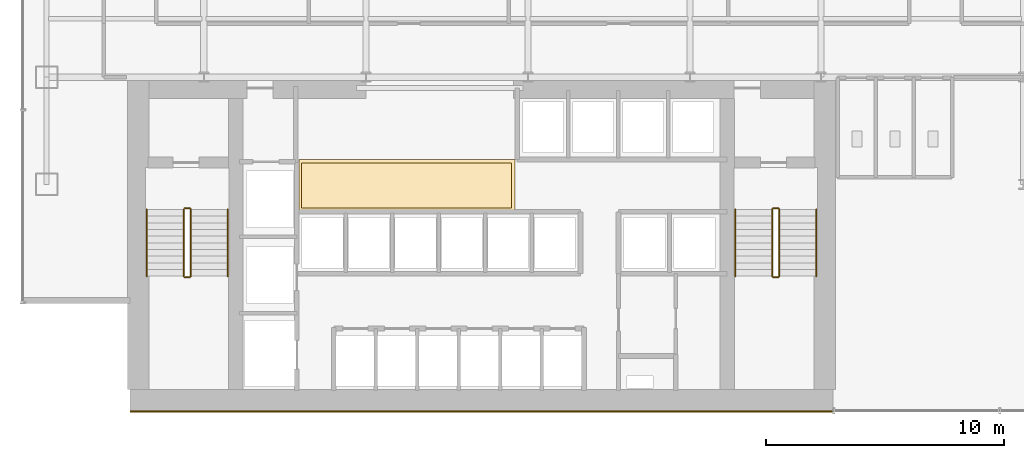
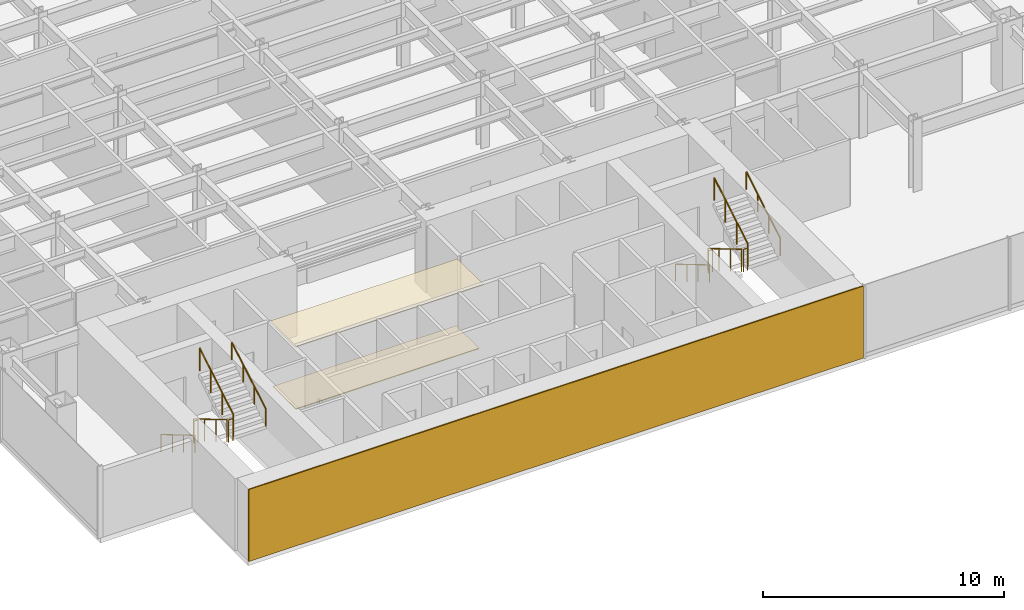
# One storey, part 20 of 22: 12 railings, 3 coverings.
"""IFC4 building model written with IfcOpenShell, lengths in metres."""

from ifc_helpers import new_model, si_unit, derived_unit, direction, frame, origin, origin_2d, place, context, subcontext, project, spatial, polyline, rectangle, circle, outline, extrude, source, transform, mapped, material, layer, layer_set, type_object, element, save


model = new_model("IFC4")

# Units and contexts
model_context = context("Model", 3, precision=1e-05, world=origin(), true_north=direction((0.0, 1.0)))
body_context = subcontext(model_context, "Body", "Model", "MODEL_VIEW")
ifc_project = project(units=[si_unit("LENGTHUNIT", "METRE"), si_unit("AREAUNIT", "SQUARE_METRE"), si_unit("VOLUMEUNIT", "CUBIC_METRE"), si_unit("PLANEANGLEUNIT", "RADIAN"), si_unit("MASSUNIT", "GRAM", prefix="KILO"), derived_unit("THERMALTRANSMITTANCEUNIT", [(si_unit("POWERUNIT", "WATT"), 1), (si_unit("LENGTHUNIT", "METRE"), -2), (si_unit("THERMODYNAMICTEMPERATUREUNIT", "KELVIN"), -1)])], contexts=[model_context])

# Site, building, storey
site_placement = place(None, origin())
site = spatial("IfcSite", under=ifc_project, at=site_placement, CompositionType="ELEMENT")
building_placement = place(site_placement, origin())
building = spatial("IfcBuilding", under=site, at=building_placement, Name="Skarnbrae Concourse Arena and Tower", CompositionType="ELEMENT")
storey_placement = place(building_placement, frame((0.0, 0.0, 65.35009765625)))
storey = spatial("IfcBuildingStorey", under=building, at=storey_placement, Name="L15", CompositionType="ELEMENT", Elevation=65.35009765625)

# Coverings
ifc_material_1 = material(Name="Mineral fibre acoustic ceiling tile", Category="other")
ifc_layer_1 = layer(ifc_material_1, 0.0400390625)
ifc_layer_set_1 = layer_set([ifc_layer_1], Name="Mineral fibre acoustic ceiling tile")
covering_type_1 = type_object("IfcCoveringType", Name="COV-CEIL-ACOUSTIC", PredefinedType="CEILING", material=ifc_layer_set_1)
covering_1_placement = place(storey_placement, frame((0.0, 0.0, 3.239990234375)))
element("IfcCovering", 1, at=covering_1_placement, inside=storey, type_object=covering_type_1, Name="L15 Lift lobby acoustic ceiling", PredefinedType="CEILING", context=body_context, shape_type="SweptSolid", body=[
    extrude(outline(polyline([(11.60009765625, 8.39990234375), (20.64990234375, 8.39990234375), (20.64990234375, 10.550048828125), (11.60009765625, 10.550048828125), (11.60009765625, 8.39990234375)])), origin(), (0.0, 0.0, 1.0), 0.039794921875),
])
ifc_material_2 = material(Name="Polished granite terrazzo flooring", Category="masonry")
ifc_layer_2 = layer(ifc_material_2, 0.0400390625)
ifc_layer_set_2 = layer_set([ifc_layer_2], Name="Polished granite terrazzo flooring")
covering_type_2 = type_object("IfcCoveringType", Name="COV-FLOOR-TERRAZZO", PredefinedType="FLOORING", material=ifc_layer_set_2)
covering_2_placement = place(storey_placement, origin())
element("IfcCovering", 2, at=covering_2_placement, inside=storey, type_object=covering_type_2, Name="L15 Lift lobby terrazzo flooring", PredefinedType="FLOORING", context=body_context, shape_type="SweptSolid", body=[
    extrude(outline(polyline([(11.699951171875, 8.5), (20.5, 8.5), (20.5, 10.39990234375), (11.699951171875, 10.39990234375), (11.699951171875, 8.5)])), origin(), (0.0, 0.0, 1.0), 0.039794921875),
])

# Railings
ifc_material_3 = material(Name="Steel CSA G40.21 350W", Category="steel")
railing_type_1 = type_object("IfcRailingType", Name="RAIL-HANDRAIL-900", PredefinedType="HANDRAIL", material=ifc_material_3)
railing_1_placement = place(storey_placement, frame((5.199951171875, 8.449951171875, 0.165771484375)))
element("IfcRailing", 3, at=railing_1_placement, inside=storey, type_object=railing_type_1, Name="L15 ST-1 stair handrail 1", PredefinedType="HANDRAIL", context=body_context, shape_type="SweptSolid", body=[
    extrude(circle(Radius=0.02392578125, at=origin_2d()), frame((0.0, 0.0, 0.8759765625), z_axis=(0.0, -0.860306154799, 0.50977771628), x_axis=(1.0, 0.0, 0.0)), (0.0, 0.0, 1.0), 3.254638671875),
    extrude(circle(Radius=0.02099609375, at=origin_2d()), origin(), (0.0, 0.0, 1.0), 0.851806640625),
    extrude(circle(Radius=0.02099609375, at=origin_2d()), frame((0.0, -0.933349609375, 0.552978515625)), (0.0, 0.0, 1.0), 0.851806640625),
    extrude(circle(Radius=0.02099609375, at=origin_2d()), frame((0.0, -1.86669921875, 1.106201171875)), (0.0, 0.0, 1.0), 0.851806640625),
    extrude(circle(Radius=0.02099609375, at=origin_2d()), frame((0.0, -2.800048828125, 1.6591796875)), (0.0, 0.0, 1.0), 0.851806640625),
])
railing_2_placement = place(storey_placement, frame((8.60009765625, 5.64990234375, 1.99072265625)))
element("IfcRailing", 4, at=railing_2_placement, inside=storey, type_object=railing_type_1, Name="L15 ST-1 stair handrail 2", PredefinedType="HANDRAIL", context=body_context, shape_type="SweptSolid", body=[
    extrude(circle(Radius=0.02392578125, at=origin_2d()), frame((0.0, 0.0, 0.8759765625), z_axis=(0.0, 0.860306154799, 0.50977771628), x_axis=(-1.0, 0.0, 0.0)), (0.0, 0.0, 1.0), 3.254638671875),
    extrude(circle(Radius=0.02099609375, at=origin_2d()), origin(), (0.0, 0.0, 1.0), 0.851806640625),
    extrude(circle(Radius=0.02099609375, at=origin_2d()), frame((0.0, 0.933349609375, 0.552978515625)), (0.0, 0.0, 1.0), 0.851806640625),
    extrude(circle(Radius=0.02099609375, at=origin_2d()), frame((0.0, 1.86669921875, 1.106201171875)), (0.0, 0.0, 1.0), 0.851806640625),
    extrude(circle(Radius=0.02099609375, at=origin_2d()), frame((0.0, 2.800048828125, 1.6591796875)), (0.0, 0.0, 1.0), 0.851806640625),
])
railing_3_placement = place(storey_placement, frame((29.89990234375, 8.449951171875, 0.165771484375)))
element("IfcRailing", 5, at=railing_3_placement, inside=storey, type_object=railing_type_1, Name="L15 ST-2 stair handrail 1", PredefinedType="HANDRAIL", context=body_context, shape_type="SweptSolid", body=[
    extrude(circle(Radius=0.02392578125, at=origin_2d()), frame((0.0, 0.0, 0.8759765625), z_axis=(0.0, -0.860306154799, 0.50977771628), x_axis=(1.0, 0.0, 0.0)), (0.0, 0.0, 1.0), 3.254638671875),
    extrude(circle(Radius=0.02099609375, at=origin_2d()), origin(), (0.0, 0.0, 1.0), 0.851806640625),
    extrude(circle(Radius=0.02099609375, at=origin_2d()), frame((0.0, -0.933349609375, 0.552978515625)), (0.0, 0.0, 1.0), 0.851806640625),
    extrude(circle(Radius=0.02099609375, at=origin_2d()), frame((0.0, -1.86669921875, 1.106201171875)), (0.0, 0.0, 1.0), 0.851806640625),
    extrude(circle(Radius=0.02099609375, at=origin_2d()), frame((0.0, -2.800048828125, 1.6591796875)), (0.0, 0.0, 1.0), 0.851806640625),
])
railing_4_placement = place(storey_placement, frame((33.300048828125, 5.64990234375, 1.99072265625)))
element("IfcRailing", 6, at=railing_4_placement, inside=storey, type_object=railing_type_1, Name="L15 ST-2 stair handrail 2", PredefinedType="HANDRAIL", context=body_context, shape_type="SweptSolid", body=[
    extrude(circle(Radius=0.02392578125, at=origin_2d()), frame((0.0, 0.0, 0.8759765625), z_axis=(0.0, 0.860306154799, 0.50977771628), x_axis=(-1.0, 0.0, 0.0)), (0.0, 0.0, 1.0), 3.254638671875),
    extrude(circle(Radius=0.02099609375, at=origin_2d()), origin(), (0.0, 0.0, 1.0), 0.851806640625),
    extrude(circle(Radius=0.02099609375, at=origin_2d()), frame((0.0, 0.933349609375, 0.552978515625)), (0.0, 0.0, 1.0), 0.851806640625),
    extrude(circle(Radius=0.02099609375, at=origin_2d()), frame((0.0, 1.86669921875, 1.106201171875)), (0.0, 0.0, 1.0), 0.851806640625),
    extrude(circle(Radius=0.02099609375, at=origin_2d()), frame((0.0, 2.800048828125, 1.6591796875)), (0.0, 0.0, 1.0), 0.851806640625),
])
railing_type_2 = type_object("IfcRailingType", Name="RAIL-STAIR-GUARD-1150", PredefinedType="GUARDRAIL", material=ifc_material_3)
railing_5_placement = place(storey_placement, frame((6.75, 8.449951171875, 0.165771484375)))
element("IfcRailing", 7, at=railing_5_placement, inside=storey, type_object=railing_type_2, Name="L15 ST-1 stair guard 1", PredefinedType="GUARDRAIL", context=body_context, shape_type="SweptSolid", body=[
    extrude(circle(Radius=0.02392578125, at=origin_2d()), frame((0.0, 0.0, 1.1259765625), z_axis=(0.0, -0.860306154799, 0.50977771628), x_axis=(1.0, 0.0, 0.0)), (0.0, 0.0, 1.0), 3.254638671875),
    extrude(circle(Radius=0.02099609375, at=origin_2d()), origin(), (0.0, 0.0, 1.0), 1.101806640625),
    extrude(circle(Radius=0.02099609375, at=origin_2d()), frame((0.0, -0.933349609375, 0.552978515625)), (0.0, 0.0, 1.0), 1.101806640625),
    extrude(circle(Radius=0.02099609375, at=origin_2d()), frame((0.0, -1.86669921875, 1.106201171875)), (0.0, 0.0, 1.0), 1.101806640625),
    extrude(circle(Radius=0.02099609375, at=origin_2d()), frame((0.0, -2.800048828125, 1.6591796875)), (0.0, 0.0, 1.0), 1.101806640625),
])
railing_6_placement = place(storey_placement, frame((6.800048828125, 5.60009765625, 1.824951171875)))
element("IfcRailing", 8, at=railing_6_placement, inside=storey, type_object=railing_type_2, Name="L15 ST-1 stair guard 2", PredefinedType="GUARDRAIL", context=body_context, shape_type="SweptSolid", body=[
    extrude(circle(Radius=0.02392578125, at=origin_2d()), frame((0.0, 0.0, 1.1259765625), z_axis=(1.0, 0.0, 0.0), x_axis=(0.0, 1.0, 0.0)), (0.0, 0.0, 1.0), 0.199951171875),
    extrude(circle(Radius=0.02099609375, at=origin_2d()), origin(), (0.0, 0.0, 1.0), 1.101806640625),
    extrude(circle(Radius=0.02099609375, at=origin_2d()), frame((0.199951171875, 0.0, 0.0)), (0.0, 0.0, 1.0), 1.101806640625),
])
railing_7_placement = place(storey_placement, frame((7.050048828125, 5.64990234375, 1.99072265625)))
element("IfcRailing", 9, at=railing_7_placement, inside=storey, type_object=railing_type_2, Name="L15 ST-1 stair guard 3", PredefinedType="GUARDRAIL", context=body_context, shape_type="SweptSolid", body=[
    extrude(circle(Radius=0.02392578125, at=origin_2d()), frame((0.0, 0.0, 1.1259765625), z_axis=(0.0, 0.860306154799, 0.50977771628), x_axis=(-1.0, 0.0, 0.0)), (0.0, 0.0, 1.0), 3.254638671875),
    extrude(circle(Radius=0.02099609375, at=origin_2d()), origin(), (0.0, 0.0, 1.0), 1.101806640625),
    extrude(circle(Radius=0.02099609375, at=origin_2d()), frame((0.0, 0.933349609375, 0.552978515625)), (0.0, 0.0, 1.0), 1.101806640625),
    extrude(circle(Radius=0.02099609375, at=origin_2d()), frame((0.0, 1.86669921875, 1.106201171875)), (0.0, 0.0, 1.0), 1.101806640625),
    extrude(circle(Radius=0.02099609375, at=origin_2d()), frame((0.0, 2.800048828125, 1.6591796875)), (0.0, 0.0, 1.0), 1.101806640625),
])
railing_8_placement = place(storey_placement, frame((6.800048828125, 8.5, 0.0)))
element("IfcRailing", 10, at=railing_8_placement, inside=storey, type_object=railing_type_2, Name="L15 ST-1 stair guard 4", PredefinedType="GUARDRAIL", context=body_context, shape_type="SweptSolid", body=[
    extrude(circle(Radius=0.02392578125, at=origin_2d()), frame((0.0, 0.0, 1.1259765625), z_axis=(1.0, 0.0, 0.0), x_axis=(0.0, 1.0, 0.0)), (0.0, 0.0, 1.0), 0.199951171875),
    extrude(circle(Radius=0.02099609375, at=origin_2d()), origin(), (0.0, 0.0, 1.0), 1.101806640625),
    extrude(circle(Radius=0.02099609375, at=origin_2d()), frame((0.199951171875, 0.0, 0.0)), (0.0, 0.0, 1.0), 1.101806640625),
])
railing_9_placement = place(storey_placement, frame((31.449951171875, 8.449951171875, 0.165771484375)))
element("IfcRailing", 11, at=railing_9_placement, inside=storey, type_object=railing_type_2, Name="L15 ST-2 stair guard 1", PredefinedType="GUARDRAIL", context=body_context, shape_type="SweptSolid", body=[
    extrude(circle(Radius=0.02392578125, at=origin_2d()), frame((0.0, 0.0, 1.1259765625), z_axis=(0.0, -0.860306154799, 0.50977771628), x_axis=(1.0, 0.0, 0.0)), (0.0, 0.0, 1.0), 3.254638671875),
    extrude(circle(Radius=0.02099609375, at=origin_2d()), origin(), (0.0, 0.0, 1.0), 1.101806640625),
    extrude(circle(Radius=0.02099609375, at=origin_2d()), frame((0.0, -0.933349609375, 0.552978515625)), (0.0, 0.0, 1.0), 1.101806640625),
    extrude(circle(Radius=0.02099609375, at=origin_2d()), frame((0.0, -1.86669921875, 1.106201171875)), (0.0, 0.0, 1.0), 1.101806640625),
    extrude(circle(Radius=0.02099609375, at=origin_2d()), frame((0.0, -2.800048828125, 1.6591796875)), (0.0, 0.0, 1.0), 1.101806640625),
])
railing_10_placement = place(storey_placement, frame((31.5, 5.60009765625, 1.824951171875)))
element("IfcRailing", 12, at=railing_10_placement, inside=storey, type_object=railing_type_2, Name="L15 ST-2 stair guard 2", PredefinedType="GUARDRAIL", context=body_context, shape_type="SweptSolid", body=[
    extrude(circle(Radius=0.02392578125, at=origin_2d()), frame((0.0, 0.0, 1.1259765625), z_axis=(1.0, 0.0, 0.0), x_axis=(0.0, 1.0, 0.0)), (0.0, 0.0, 1.0), 0.199951171875),
    extrude(circle(Radius=0.02099609375, at=origin_2d()), origin(), (0.0, 0.0, 1.0), 1.101806640625),
    extrude(circle(Radius=0.02099609375, at=origin_2d()), frame((0.199951171875, 0.0, 0.0)), (0.0, 0.0, 1.0), 1.101806640625),
])
railing_11_placement = place(storey_placement, frame((31.75, 5.64990234375, 1.99072265625)))
element("IfcRailing", 13, at=railing_11_placement, inside=storey, type_object=railing_type_2, Name="L15 ST-2 stair guard 3", PredefinedType="GUARDRAIL", context=body_context, shape_type="SweptSolid", body=[
    extrude(circle(Radius=0.02392578125, at=origin_2d()), frame((0.0, 0.0, 1.1259765625), z_axis=(0.0, 0.860306154799, 0.50977771628), x_axis=(-1.0, 0.0, 0.0)), (0.0, 0.0, 1.0), 3.254638671875),
    extrude(circle(Radius=0.02099609375, at=origin_2d()), origin(), (0.0, 0.0, 1.0), 1.101806640625),
    extrude(circle(Radius=0.02099609375, at=origin_2d()), frame((0.0, 0.933349609375, 0.552978515625)), (0.0, 0.0, 1.0), 1.101806640625),
    extrude(circle(Radius=0.02099609375, at=origin_2d()), frame((0.0, 1.86669921875, 1.106201171875)), (0.0, 0.0, 1.0), 1.101806640625),
    extrude(circle(Radius=0.02099609375, at=origin_2d()), frame((0.0, 2.800048828125, 1.6591796875)), (0.0, 0.0, 1.0), 1.101806640625),
])
railing_12_placement = place(storey_placement, frame((31.5, 8.5, 0.0)))
element("IfcRailing", 14, at=railing_12_placement, inside=storey, type_object=railing_type_2, Name="L15 ST-2 stair guard 4", PredefinedType="GUARDRAIL", context=body_context, shape_type="SweptSolid", body=[
    extrude(circle(Radius=0.02392578125, at=origin_2d()), frame((0.0, 0.0, 1.1259765625), z_axis=(1.0, 0.0, 0.0), x_axis=(0.0, 1.0, 0.0)), (0.0, 0.0, 1.0), 0.199951171875),
    extrude(circle(Radius=0.02099609375, at=origin_2d()), origin(), (0.0, 0.0, 1.0), 1.101806640625),
    extrude(circle(Radius=0.02099609375, at=origin_2d()), frame((0.199951171875, 0.0, 0.0)), (0.0, 0.0, 1.0), 1.101806640625),
])

# Covering
ifc_material_4 = material(Name="Bronze anodised aluminium 6063-T6", Category="aluminium")
ifc_layer_3 = layer(ifc_material_4, 0.06005859375)
ifc_layer_set_3 = layer_set([ifc_layer_3], Name="Bronze anodised aluminium 6063-T6")
covering_type_3 = type_object("IfcCoveringType", Name="COV-CLAD-BRONZE-60", PredefinedType="CLADDING", material=ifc_layer_set_3)
shared_shape = source(origin(), body_context, "Body", "SweptSolid", [
    extrude(rectangle(XDim=29.5, YDim=0.06005859375, at=origin_2d()), origin(), (0.0, 0.0, 1.0), 3.64990234375),
])
covering_3_placement = place(storey_placement, frame((19.25, -0.030029296875, 0.0), z_axis=(0.0, 0.0, 1.0), x_axis=(1.0, 0.0, 0.0)))
element("IfcCovering", 15, at=covering_3_placement, inside=storey, type_object=covering_type_3, Name="L15 Rear-core plumb spine bronze rainscreen panel", PredefinedType="CLADDING", context=body_context, shape_type="MappedRepresentation", body=[
    mapped(shared_shape, transform((0.0, 0.0, 0.0))),
])

save(model, "model.ifc")
